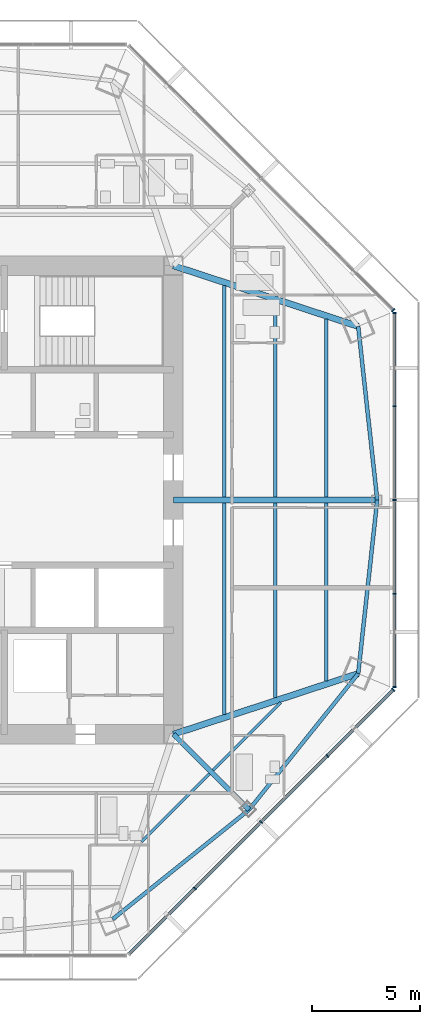
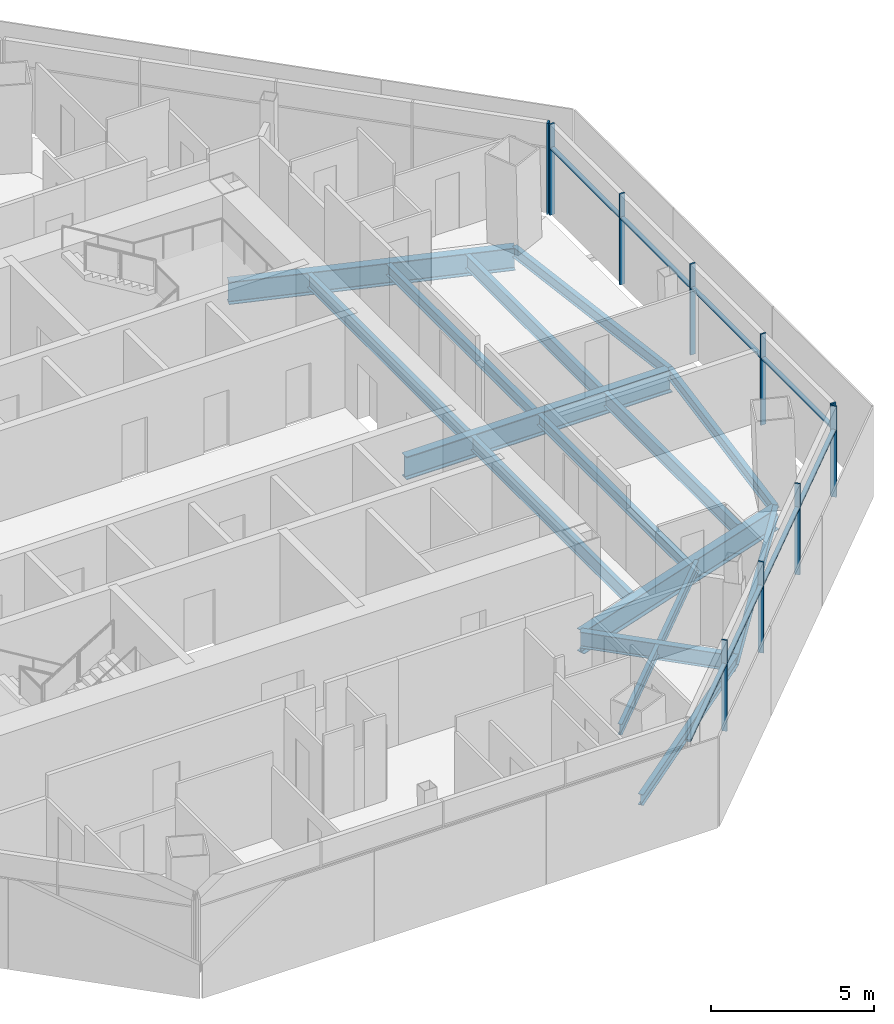
# One storey, part 4 of 15: 18 members, 16 beams, 3 elements without a shape of their own.
"""IFC4 building model written with IfcOpenShell, lengths in metres."""

from ifc_helpers import new_model, si_unit, direction, frame, origin, origin_2d, place, context, subcontext, project, spatial, rectangle, i_section, extrude, source, transform, mapped, material, material_profile, profile_set, type_object, type_shapes, element, aggregate, save


model = new_model("IFC4")

# Units and contexts
model_context = context("Model", 3, precision=1e-05, world=origin(), true_north=direction((0.0, 1.0)))
body_context = subcontext(model_context, "Body", "Model", "MODEL_VIEW")
ifc_project = project(units=[si_unit("LENGTHUNIT", "METRE"), si_unit("AREAUNIT", "SQUARE_METRE"), si_unit("VOLUMEUNIT", "CUBIC_METRE"), si_unit("PLANEANGLEUNIT", "RADIAN"), si_unit("MASSUNIT", "GRAM", prefix="KILO")], contexts=[model_context])

# Site, building, storey
site_placement = place(None, origin())
site = spatial("IfcSite", under=ifc_project, at=site_placement, CompositionType="ELEMENT")
building_placement = place(site_placement, origin())
building = spatial("IfcBuilding", under=site, at=building_placement, Name="Mashrafa Tower", CompositionType="ELEMENT")
storey_placement = place(building_placement, frame((0.0, 0.0, 248.199951171875)))
storey = spatial("IfcBuildingStorey", under=building, at=storey_placement, Name="L59", CompositionType="ELEMENT", Elevation=248.199951171875)

# Beams
ifc_material_1 = material(Name="Steel ASTM A992", Category="steel")
ifc_material_profile_1 = material_profile(ifc_material_1, i_section(OverallWidth=0.140380859375, OverallDepth=0.40380859375, WebThickness=0.007080078125, FlangeThickness=0.01123046875, FilletRadius=0.01025390625, at=origin_2d()), Name="W16X31")
ifc_profile_set_1 = profile_set([ifc_material_profile_1], Name="Steel ASTM A992")
beam_type_1 = type_object("IfcBeamType", Name="Beam W16X31", PredefinedType="BEAM", material=ifc_profile_set_1)
for number, where, z_axis, x_axis, name in (
    (1, (12.4609375, -12.6220703125, -0.40185546875), (-0.707106781187, -0.707106781187, 0.0), (0.707106781187, -0.707106781187, 0.0), "Floor beam L59 024"),
    (2, (15.756103515625, -9.326904296875, -0.40185546875), (-0.707106781187, -0.707106781187, 0.0), (0.707106781187, -0.707106781187, 0.0), "Floor beam L59 030"),
):
    element("IfcBeam", number, at=place(storey_placement, frame(where, z_axis=z_axis, x_axis=x_axis)), inside=storey, type_object=beam_type_1, Name=name, PredefinedType="BEAM", context=body_context, shape_type="SweptSolid", body=[
        extrude(i_section(OverallWidth=0.140380859375, OverallDepth=0.40380859375, WebThickness=0.007080078125, FlangeThickness=0.01123046875, FilletRadius=0.01025390625, at=origin_2d()), origin(), (0.0, 0.0, 1.0), 4.43212890625),
    ])
ifc_material_2 = material(Name="Steel ASTM A992", Category="steel")
ifc_material_profile_2 = material_profile(ifc_material_2, i_section(OverallWidth=0.177734375, OverallDepth=0.406494140625, WebThickness=0.0078125, FlangeThickness=0.012939453125, FilletRadius=0.01025390625, at=origin_2d()), Name="W16X40")
ifc_profile_set_2 = profile_set([ifc_material_profile_2], Name="Steel ASTM A992")
beam_type_2 = type_object("IfcBeamType", Name="Beam W16X40", PredefinedType="BEAM", material=ifc_profile_set_2)
for number, where, z_axis, x_axis, name in (
    (3, (15.49951171875, -0.14599609375, -0.403076171875), (0.0, -1.0, 0.0), (1.0, 0.0, 0.0), "Floor beam L59 028"),
    (4, (15.49951171875, 9.103515625, -0.403076171875), (0.0, -1.0, 0.0), (1.0, 0.0, 0.0), "Floor beam L59 029"),
):
    element("IfcBeam", number, at=place(storey_placement, frame(where, z_axis=z_axis, x_axis=x_axis)), inside=storey, type_object=beam_type_2, Name=name, PredefinedType="BEAM", context=body_context, shape_type="SweptSolid", body=[
        extrude(i_section(OverallWidth=0.177734375, OverallDepth=0.406494140625, WebThickness=0.0078125, FlangeThickness=0.012939453125, FilletRadius=0.01025390625, at=origin_2d()), origin(), (0.0, 0.0, 1.0), 8.95751953125),
    ])
for number, where, z_axis, x_axis, name in (
    (5, (8.0029296875, -19.32080078125, -0.403076171875), (0.780030862781, 0.625741043171, 0.0), (-0.625741043171, 0.780030862781, 0.0), "Spandrel beam L59 058"),
    (6, (14.282958984375, -14.282958984375, -0.403076171875), (0.625741043171, 0.780030862781, 0.0), (-0.780030862781, 0.625741043171, 0.0), "Spandrel beam L59 060"),
    (7, (19.32080078125, -8.0029296875, -0.403076171875), (0.109106774504, 0.994030035641, 0.0), (-0.994030035641, 0.109106774504, 0.0), "Spandrel beam L59 062"),
    (8, (20.19921875, 0.0, -0.403076171875), (-0.109106774504, 0.994030035641, 0.0), (-0.994030035641, -0.109106774504, 0.0), "Spandrel beam L59 064"),
):
    element("IfcBeam", number, at=place(storey_placement, frame(where, z_axis=z_axis, x_axis=x_axis)), inside=storey, type_object=beam_type_2, Name=name, PredefinedType="BEAM", context=body_context, shape_type="SweptSolid", body=[
        extrude(i_section(OverallWidth=0.177734375, OverallDepth=0.406494140625, WebThickness=0.0078125, FlangeThickness=0.012939453125, FilletRadius=0.01025390625, at=origin_2d()), origin(), (0.0, 0.0, 1.0), 8.051025390625),
    ])
ifc_material_3 = material(Name="Steel ASTM A992", Category="steel")
ifc_material_profile_3 = material_profile(ifc_material_3, i_section(OverallWidth=0.165771484375, OverallDepth=0.5283203125, WebThickness=0.009765625, FlangeThickness=0.013671875, FilletRadius=0.012939453125, at=origin_2d()), Name="W21X50")
ifc_profile_set_3 = profile_set([ifc_material_profile_3], Name="Steel ASTM A992")
beam_type_3 = type_object("IfcBeamType", Name="Beam W21X50", PredefinedType="BEAM", material=ifc_profile_set_3)
for number, where, z_axis, x_axis, name in (
    (9, (13.14990234375, -0.14599609375, -0.464111328125), (0.0, -1.0, 0.0), (1.0, 0.0, 0.0), "Floor beam L59 026"),
    (10, (13.14990234375, 9.875, -0.464111328125), (0.0, -1.0, 0.0), (1.0, 0.0, 0.0), "Floor beam L59 027"),
):
    element("IfcBeam", number, at=place(storey_placement, frame(where, z_axis=z_axis, x_axis=x_axis)), inside=storey, type_object=beam_type_3, Name=name, PredefinedType="BEAM", context=body_context, shape_type="SweptSolid", body=[
        extrude(i_section(OverallWidth=0.165771484375, OverallDepth=0.5283203125, WebThickness=0.009765625, FlangeThickness=0.013671875, FilletRadius=0.012939453125, at=origin_2d()), origin(), (0.0, 0.0, 1.0), 9.72900390625),
    ])
for number, where, z_axis, x_axis, name in (
    (11, (17.849365234375, -0.14599609375, -0.464111328125), (0.0, -1.0, 0.0), (1.0, 0.0, 0.0), "Floor beam L59 031"),
    (12, (17.849365234375, 8.332275390625, -0.464111328125), (0.0, -1.0, 0.0), (1.0, 0.0, 0.0), "Floor beam L59 032"),
):
    element("IfcBeam", number, at=place(storey_placement, frame(where, z_axis=z_axis, x_axis=x_axis)), inside=storey, type_object=beam_type_3, Name=name, PredefinedType="BEAM", context=body_context, shape_type="SweptSolid", body=[
        extrude(i_section(OverallWidth=0.165771484375, OverallDepth=0.5283203125, WebThickness=0.009765625, FlangeThickness=0.013671875, FilletRadius=0.012939453125, at=origin_2d()), origin(), (0.0, 0.0, 1.0), 8.186279296875),
    ])
ifc_material_4 = material(Name="Steel ASTM A992", Category="steel")
ifc_material_profile_4 = material_profile(ifc_material_4, i_section(OverallWidth=0.227783203125, OverallDepth=0.60205078125, WebThickness=0.010498046875, FlangeThickness=0.014892578125, FilletRadius=0.012939453125, at=origin_2d()), Name="W24X68")
ifc_profile_set_4 = profile_set([ifc_material_profile_4], Name="Steel ASTM A992")
beam_type_4 = type_object("IfcBeamType", Name="Beam W24X68", PredefinedType="BEAM", material=ifc_profile_set_4)
beam_1_placement = place(storey_placement, frame((10.800048828125, -10.800048828125, -0.5009765625), z_axis=(0.707106781187, -0.707106781187, 0.0), x_axis=(0.707106781187, 0.707106781187, 0.0)))
element("IfcBeam", 13, at=beam_1_placement, inside=storey, type_object=beam_type_4, Name="Radial girder L59 043", PredefinedType="BEAM", context=body_context, shape_type="SweptSolid", body=[
    extrude(i_section(OverallWidth=0.227783203125, OverallDepth=0.60205078125, WebThickness=0.010498046875, FlangeThickness=0.014892578125, FilletRadius=0.012939453125, at=origin_2d()), origin(), (0.0, 0.0, 1.0), 4.925537109375),
])
ifc_material_5 = material(Name="Steel ASTM A992", Category="steel")
ifc_material_profile_5 = material_profile(ifc_material_5, i_section(OverallWidth=0.2919921875, OverallDepth=0.8408203125, WebThickness=0.0146484375, FlangeThickness=0.021728515625, FilletRadius=0.017333984375, at=origin_2d()), Name="W33X130")
ifc_profile_set_5 = profile_set([ifc_material_profile_5], Name="Steel ASTM A992")
beam_type_5 = type_object("IfcBeamType", Name="Beam W33X130", PredefinedType="BEAM", material=ifc_profile_set_5)
for number, where, z_axis, x_axis, name in (
    (14, (10.800048828125, -10.800048828125, -0.620361328125), (0.950116251982, 0.311895988624, 0.0), (-0.311895988624, 0.950116251982, 0.0), "Radial girder L59 044"),
    (15, (10.800048828125, 10.800048828125, -0.620361328125), (0.950116251982, -0.311895988624, 0.0), (0.311895988624, 0.950116251982, 0.0), "Radial girder L59 048"),
):
    element("IfcBeam", number, at=place(storey_placement, frame(where, z_axis=z_axis, x_axis=x_axis)), inside=storey, type_object=beam_type_5, Name=name, PredefinedType="BEAM", context=body_context, shape_type="SweptSolid", body=[
        extrude(i_section(OverallWidth=0.2919921875, OverallDepth=0.8408203125, WebThickness=0.0146484375, FlangeThickness=0.021728515625, FilletRadius=0.017333984375, at=origin_2d()), origin(), (0.0, 0.0, 1.0), 8.968017578125),
    ])
ifc_material_6 = material(Name="Steel ASTM A992", Category="steel")
ifc_material_profile_6 = material_profile(ifc_material_6, i_section(OverallWidth=0.2919921875, OverallDepth=0.8583984375, WebThickness=0.01708984375, FlangeThickness=0.031005859375, FilletRadius=0.017822265625, at=origin_2d()), Name="W33X169")
ifc_profile_set_6 = profile_set([ifc_material_profile_6], Name="Steel ASTM A992")
beam_type_6 = type_object("IfcBeamType", Name="Beam W33X169", PredefinedType="BEAM", material=ifc_profile_set_6)
beam_2_placement = place(storey_placement, frame((10.800048828125, 0.0, -0.629150390625), z_axis=(1.0, 0.0, 0.0), x_axis=(0.0, 1.0, 0.0)))
element("IfcBeam", 16, at=beam_2_placement, inside=storey, type_object=beam_type_6, Name="Radial girder L59 045", PredefinedType="BEAM", context=body_context, shape_type="SweptSolid", body=[
    extrude(i_section(OverallWidth=0.2919921875, OverallDepth=0.8583984375, WebThickness=0.01708984375, FlangeThickness=0.031005859375, FilletRadius=0.017822265625, at=origin_2d()), origin(), (0.0, 0.0, 1.0), 9.399169921875),
])

# Curtain wall, members
ifc_material_7 = material(Name="Unitised aluminium curtain wall", Category="aluminium")
curtain_wall_type = type_object("IfcCurtainWallType", Name="Apartment curtain wall, zone 3 CW-C 180 deep", PredefinedType="NOTDEFINED", material=ifc_material_7)
curtain_wall_1_placement = place(storey_placement, origin())
curtain_wall_1 = element("IfcCurtainWall", 17, at=curtain_wall_1_placement, inside=storey, type_object=curtain_wall_type, Name="Apartment curtain wall, zone 3 L59 east", PredefinedType="NOTDEFINED")
ifc_material_8 = material(Name="Extruded aluminium mullion", Category="aluminium")
ifc_material_profile_7 = material_profile(ifc_material_8, rectangle(XDim=0.179931640625, YDim=0.06005859375, at=origin_2d()), Name="Mullion 60x180")
ifc_profile_set_7 = profile_set([ifc_material_profile_7], Name="Extruded aluminium mullion")
member_type_1 = type_object("IfcMemberType", Name="Mullion CW-C 60 x 180", PredefinedType="MULLION", material=ifc_profile_set_7)
shared_shape_1 = source(origin(), body_context, "Body", "SweptSolid", [
    extrude(rectangle(XDim=0.179931640625, YDim=0.06005859375, at=origin_2d()), origin(), (0.0, 0.0, 1.0), 3.400146484375),
])
type_shapes(member_type_1, [shared_shape_1])
member_1_placement = place(storey_placement, frame((20.993408203125, -8.618408203125, 0.0), z_axis=(0.0, 0.0, 1.0), x_axis=(-1.0, 0.0, 0.0)))
member_1 = element("IfcMember", 18, at=member_1_placement, type_object=member_type_1, Name="CW-C mullion 1", PredefinedType="MULLION", context=body_context, shape_type="MappedRepresentation", body=[
    mapped(shared_shape_1, transform((0.0, 0.0, 0.0))),
])
member_2_placement = place(storey_placement, frame((20.993408203125, -4.32421875, 0.0), z_axis=(0.0, 0.0, 1.0), x_axis=(-1.0, 0.0, 0.0)))
member_2 = element("IfcMember", 19, at=member_2_placement, type_object=member_type_1, Name="CW-C mullion 2", PredefinedType="MULLION", context=body_context, shape_type="MappedRepresentation", body=[
    mapped(shared_shape_1, transform((0.0, 0.0, 0.0))),
])
member_3_placement = place(storey_placement, frame((20.993408203125, 0.0, 0.0), z_axis=(0.0, 0.0, 1.0), x_axis=(-1.0, 0.0, 0.0)))
member_3 = element("IfcMember", 20, at=member_3_placement, type_object=member_type_1, Name="CW-C mullion 3", PredefinedType="MULLION", context=body_context, shape_type="MappedRepresentation", body=[
    mapped(shared_shape_1, transform((0.0, 0.0, 0.0))),
])
member_4_placement = place(storey_placement, frame((20.993408203125, 4.32421875, 0.0), z_axis=(0.0, 0.0, 1.0), x_axis=(-1.0, 0.0, 0.0)))
member_4 = element("IfcMember", 21, at=member_4_placement, type_object=member_type_1, Name="CW-C mullion 4", PredefinedType="MULLION", context=body_context, shape_type="MappedRepresentation", body=[
    mapped(shared_shape_1, transform((0.0, 0.0, 0.0))),
])
member_5_placement = place(storey_placement, frame((20.993408203125, 8.618408203125, 0.0), z_axis=(0.0, 0.0, 1.0), x_axis=(-1.0, 0.0, 0.0)))
member_5 = element("IfcMember", 22, at=member_5_placement, type_object=member_type_1, Name="CW-C mullion 5", PredefinedType="MULLION", context=body_context, shape_type="MappedRepresentation", body=[
    mapped(shared_shape_1, transform((0.0, 0.0, 0.0))),
])

# Curtain wall, member
curtain_wall_2_placement = place(storey_placement, origin())
curtain_wall_2 = element("IfcCurtainWall", 23, at=curtain_wall_2_placement, inside=storey, type_object=curtain_wall_type, Name="Apartment curtain wall, zone 3 L59 north-east", PredefinedType="NOTDEFINED")
member_6_placement = place(storey_placement, frame((20.93896484375, 8.75048828125, 0.0), z_axis=(0.0, 0.0, 1.0), x_axis=(-0.707106781187, -0.707106781187, 0.0)))
member_6 = element("IfcMember", 24, at=member_6_placement, type_object=member_type_1, Name="CW-C mullion 1", PredefinedType="MULLION", context=body_context, shape_type="MappedRepresentation", body=[
    mapped(shared_shape_1, transform((0.0, 0.0, 0.0))),
])
aggregate(curtain_wall_2, [member_6])

# Curtain wall, members
curtain_wall_3_placement = place(storey_placement, origin())
curtain_wall_3 = element("IfcCurtainWall", 25, at=curtain_wall_3_placement, inside=storey, type_object=curtain_wall_type, Name="Apartment curtain wall, zone 3 L59 south-east", PredefinedType="NOTDEFINED")
member_7_placement = place(storey_placement, frame((11.786865234375, -17.90234375, 0.0), z_axis=(0.0, 0.0, 1.0), x_axis=(-0.707106781187, 0.707106781187, 0.0)))
member_7 = element("IfcMember", 26, at=member_7_placement, type_object=member_type_1, Name="CW-C mullion 2", PredefinedType="MULLION", context=body_context, shape_type="MappedRepresentation", body=[
    mapped(shared_shape_1, transform((0.0, 0.0, 0.0))),
])
member_8_placement = place(storey_placement, frame((14.8447265625, -14.8447265625, 0.0), z_axis=(0.0, 0.0, 1.0), x_axis=(-0.707106781187, 0.707106781187, 0.0)))
member_8 = element("IfcMember", 27, at=member_8_placement, type_object=member_type_1, Name="CW-C mullion 3", PredefinedType="MULLION", context=body_context, shape_type="MappedRepresentation", body=[
    mapped(shared_shape_1, transform((0.0, 0.0, 0.0))),
])
member_9_placement = place(storey_placement, frame((17.90234375, -11.786865234375, 0.0), z_axis=(0.0, 0.0, 1.0), x_axis=(-0.707106781187, 0.707106781187, 0.0)))
member_9 = element("IfcMember", 28, at=member_9_placement, type_object=member_type_1, Name="CW-C mullion 4", PredefinedType="MULLION", context=body_context, shape_type="MappedRepresentation", body=[
    mapped(shared_shape_1, transform((0.0, 0.0, 0.0))),
])
member_10_placement = place(storey_placement, frame((20.93896484375, -8.75048828125, 0.0), z_axis=(0.0, 0.0, 1.0), x_axis=(-0.707106781187, 0.707106781187, 0.0)))
member_10 = element("IfcMember", 29, at=member_10_placement, type_object=member_type_1, Name="CW-C mullion 5", PredefinedType="MULLION", context=body_context, shape_type="MappedRepresentation", body=[
    mapped(shared_shape_1, transform((0.0, 0.0, 0.0))),
])

# Member
ifc_material_9 = material(Name="Extruded aluminium transom", Category="aluminium")
ifc_material_profile_8 = material_profile(ifc_material_9, rectangle(XDim=0.14404296875, YDim=0.074951171875, at=origin_2d()), Name="Transom 75x144")
ifc_profile_set_8 = profile_set([ifc_material_profile_8], Name="Extruded aluminium transom")
member_type_2 = type_object("IfcMemberType", Name="Transom CW-C 75 x 144", PredefinedType="MULLION", material=ifc_profile_set_8)
shared_shape_2 = source(origin(), body_context, "Body", "SweptSolid", [
    extrude(rectangle(XDim=0.14404296875, YDim=0.074951171875, at=origin_2d()), origin(), (0.0, 0.0, 1.0), 4.234375),
])
member_11_placement = place(storey_placement, frame((20.993408203125, -8.588623046875, 2.5), z_axis=(0.0, 1.0, 0.0), x_axis=(-1.0, 0.0, 0.0)))
member_11 = element("IfcMember", 30, at=member_11_placement, type_object=member_type_2, Name="CW-C transom 1", PredefinedType="MULLION", context=body_context, shape_type="MappedRepresentation", body=[
    mapped(shared_shape_2, transform((0.0, 0.0, 0.0))),
])

member_12_placement = place(storey_placement, frame((20.993408203125, 4.354248046875, 2.5), z_axis=(0.0, 1.0, 0.0), x_axis=(-1.0, 0.0, 0.0)))
member_12 = element("IfcMember", 31, at=member_12_placement, type_object=member_type_2, Name="CW-C transom 4", PredefinedType="MULLION", context=body_context, shape_type="MappedRepresentation", body=[
    mapped(shared_shape_2, transform((0.0, 0.0, 0.0))),
])

shared_shape_3 = source(origin(), body_context, "Body", "SweptSolid", [
    extrude(rectangle(XDim=0.14404296875, YDim=0.074951171875, at=origin_2d()), origin(), (0.0, 0.0, 1.0), 4.26416015625),
])
member_13_placement = place(storey_placement, frame((20.993408203125, -4.294189453125, 2.5), z_axis=(0.0, 1.0, 0.0), x_axis=(-1.0, 0.0, 0.0)))
member_13 = element("IfcMember", 32, at=member_13_placement, type_object=member_type_2, Name="CW-C transom 2", PredefinedType="MULLION", context=body_context, shape_type="MappedRepresentation", body=[
    mapped(shared_shape_3, transform((0.0, 0.0, 0.0))),
])

member_14_placement = place(storey_placement, frame((20.993408203125, 0.030029296875, 2.5), z_axis=(0.0, 1.0, 0.0), x_axis=(-1.0, 0.0, 0.0)))
member_14 = element("IfcMember", 33, at=member_14_placement, type_object=member_type_2, Name="CW-C transom 3", PredefinedType="MULLION", context=body_context, shape_type="MappedRepresentation", body=[
    mapped(shared_shape_3, transform((0.0, 0.0, 0.0))),
])

aggregate(curtain_wall_1, [member_1, member_2, member_3, member_4, member_5, member_11, member_13, member_14, member_12])

member_15_placement = place(storey_placement, frame((11.80810546875, -17.881103515625, 2.5), z_axis=(0.707135407253, 0.707078153961, 0.0), x_axis=(-0.707078153961, 0.707135407253, 0.0)))
member_15 = element("IfcMember", 34, at=member_15_placement, type_object=member_type_2, Name="CW-C transom 2", PredefinedType="MULLION", context=body_context, shape_type="MappedRepresentation", body=[
    mapped(shared_shape_3, transform((0.0, 0.0, 0.0))),
])

member_16_placement = place(storey_placement, frame((14.865966796875, -14.823486328125, 2.5), z_axis=(0.707078153961, 0.707135407253, 0.0), x_axis=(-0.707135407253, 0.707078153961, 0.0)))
member_16 = element("IfcMember", 35, at=member_16_placement, type_object=member_type_2, Name="CW-C transom 3", PredefinedType="MULLION", context=body_context, shape_type="MappedRepresentation", body=[
    mapped(shared_shape_3, transform((0.0, 0.0, 0.0))),
])

shared_shape_4 = source(origin(), body_context, "Body", "SweptSolid", [
    extrude(rectangle(XDim=0.14404296875, YDim=0.074951171875, at=origin_2d()), origin(), (0.0, 0.0, 1.0), 4.234130859375),
])
type_shapes(member_type_2, [shared_shape_2, shared_shape_3, shared_shape_4])
member_17_placement = place(storey_placement, frame((8.771728515625, -20.917724609375, 2.5), z_axis=(0.707077950869, 0.707135610329, 0.0), x_axis=(-0.707135610329, 0.707077950869, 0.0)))
member_17 = element("IfcMember", 36, at=member_17_placement, type_object=member_type_2, Name="CW-C transom 1", PredefinedType="MULLION", context=body_context, shape_type="MappedRepresentation", body=[
    mapped(shared_shape_4, transform((0.0, 0.0, 0.0))),
])

member_18_placement = place(storey_placement, frame((17.923583984375, -11.765625, 2.5), z_axis=(0.707135610329, 0.707077950869, 0.0), x_axis=(-0.707077950869, 0.707135610329, 0.0)))
member_18 = element("IfcMember", 37, at=member_18_placement, type_object=member_type_2, Name="CW-C transom 4", PredefinedType="MULLION", context=body_context, shape_type="MappedRepresentation", body=[
    mapped(shared_shape_4, transform((0.0, 0.0, 0.0))),
])

aggregate(curtain_wall_3, [member_7, member_8, member_9, member_10, member_17, member_15, member_16, member_18])

save(model, "model.ifc")
